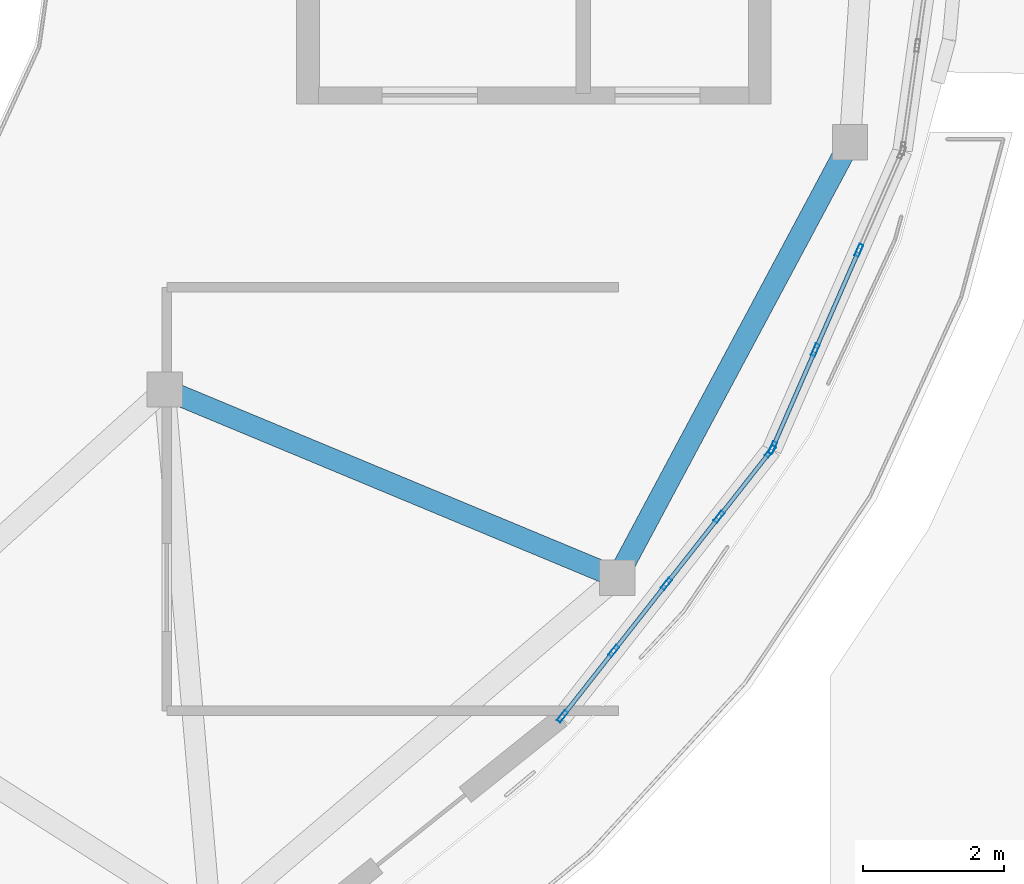
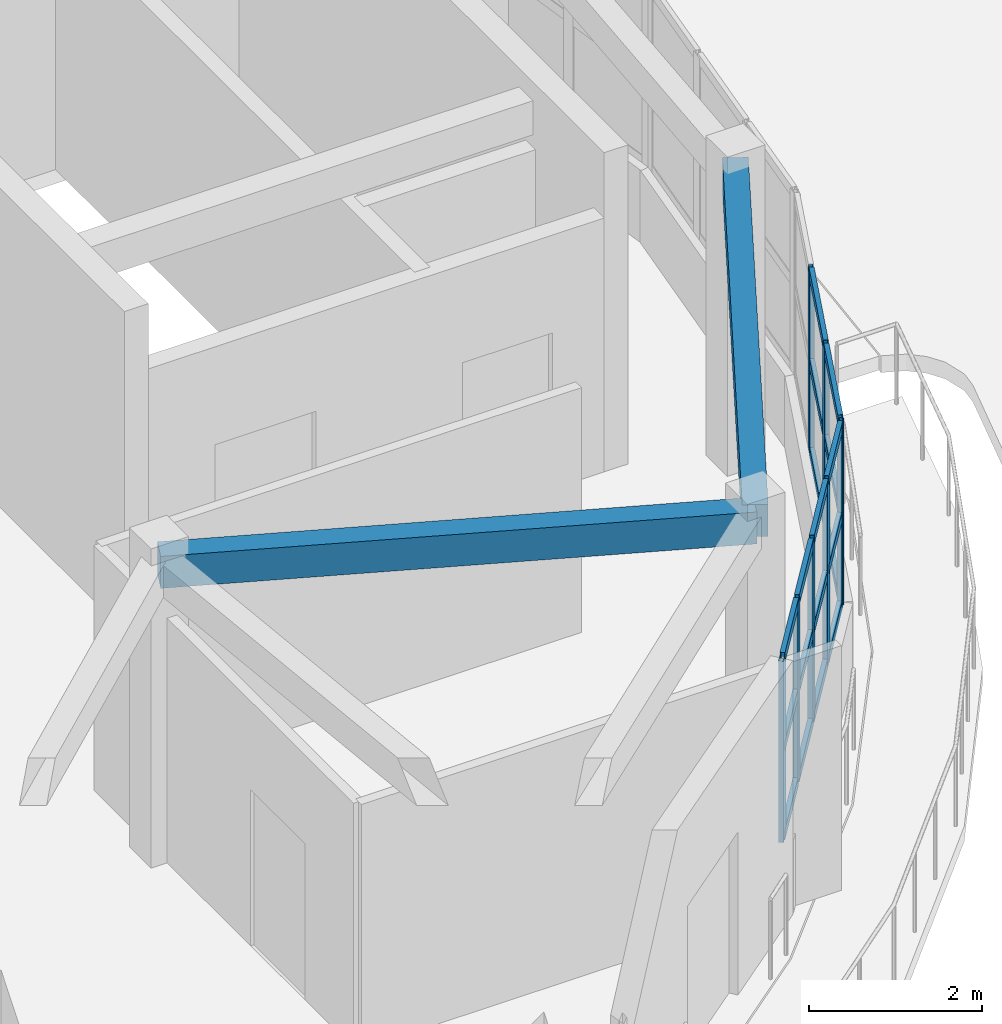
# One storey, part 16 of 38: 26 members, 2 beams, 2 elements without a shape of their own.
"""IFC4 building model written with IfcOpenShell, lengths in metres."""

from ifc_helpers import new_model, si_unit, direction, frame, origin, origin_2d, place, context, subcontext, project, spatial, rectangle, hollow_rectangle, extrude, material, layer, layer_set, material_profile, profile_set, type_object, element, aggregate, save


model = new_model("IFC4")

# Units and contexts
model_context = context("Model", 3, precision=1e-05, world=origin(), true_north=direction((0.0, 1.0)))
body_context = subcontext(model_context, "Body", "Model", "MODEL_VIEW")
ifc_project = project(units=[si_unit("LENGTHUNIT", "METRE"), si_unit("AREAUNIT", "SQUARE_METRE"), si_unit("VOLUMEUNIT", "CUBIC_METRE"), si_unit("PLANEANGLEUNIT", "RADIAN"), si_unit("MASSUNIT", "GRAM", prefix="KILO")], contexts=[model_context])

# Site, building, storey
site_placement = place(None, origin())
site = spatial("IfcSite", under=ifc_project, at=site_placement, CompositionType="ELEMENT")
building_placement = place(site_placement, origin())
building = spatial("IfcBuilding", under=site, at=building_placement, Name="Pelvatis Terrace Science Centre", CompositionType="ELEMENT")
storey_placement = place(building_placement, frame((0.0, 0.0, 24.300048828125)))
storey = spatial("IfcBuildingStorey", under=building, at=storey_placement, Name="L05", CompositionType="ELEMENT", Elevation=24.300048828125)

# Beams
ifc_material_1 = material(Name="Concrete C35/45", Category="concrete")
ifc_material_profile_1 = material_profile(ifc_material_1, rectangle(XDim=0.300048828125, YDim=0.449951171875, at=origin_2d()), Name="RC-BM 300x450")
ifc_profile_set_1 = profile_set([ifc_material_profile_1], Name="Concrete C35/45")
beam_type = type_object("IfcBeamType", Name="BM-RC-300x450", PredefinedType="BEAM", material=ifc_profile_set_1)
beam_1_placement = place(storey_placement, frame((129.57958984375, 74.6884765625, 4.034912109375), z_axis=(0.471365103295, 0.881938172094, 0.0), x_axis=(-0.881938172094, 0.471365103295, 0.0)))
element("IfcBeam", 1, at=beam_1_placement, inside=storey, type_object=beam_type, Name="Beam BM-L05-3144", PredefinedType="BEAM", context=body_context, shape_type="SweptSolid", body=[
    extrude(rectangle(XDim=0.300048828125, YDim=0.449951171875, at=origin_2d()), origin(), (0.0, 0.0, 1.0), 6.995849609375),
])
beam_2_placement = place(storey_placement, frame((129.57958984375, 74.6884765625, 4.034912109375), z_axis=(-0.923304582387, 0.384068546152, 0.0), x_axis=(-0.384068546152, -0.923304582387, 0.0)))
element("IfcBeam", 2, at=beam_2_placement, inside=storey, type_object=beam_type, Name="Beam BM-L05-3145", PredefinedType="BEAM", context=body_context, shape_type="SweptSolid", body=[
    extrude(rectangle(XDim=0.300048828125, YDim=0.449951171875, at=origin_2d()), origin(), (0.0, 0.0, 1.0), 6.943359375),
])

# Curtain wall, members
ifc_material_2 = material(Name="Bronze-anodised aluminium and laminated glass", Category="aluminium")
ifc_layer = layer(ifc_material_2, 0.179931640625)
ifc_layer_set = layer_set([ifc_layer], Name="Bronze-anodised aluminium and laminated glass")
curtain_wall_type = type_object("IfcCurtainWallType", Name="CW-RIBBON-A", PredefinedType="NOTDEFINED", material=ifc_layer_set)
curtain_wall_1_placement = place(storey_placement, origin())
curtain_wall_1 = element("IfcCurtainWall", 3, at=curtain_wall_1_placement, inside=storey, type_object=curtain_wall_type, Name="Ribbon curtain wall CW-261 (L05)", PredefinedType="NOTDEFINED")
ifc_material_3 = material(Name="Bronze-anodised aluminium 6063-T6", Category="aluminium")
ifc_material_profile_2 = material_profile(ifc_material_3, hollow_rectangle(XDim=0.06005859375, YDim=0.179931640625, WallThickness=0.00390625, at=origin_2d()), Name="ALU-MUL 60x180")
ifc_profile_set_2 = profile_set([ifc_material_profile_2], Name="Bronze-anodised aluminium 6063-T6")
member_type_1 = type_object("IfcMemberType", Name="CWM-60x180", PredefinedType="MULLION", material=ifc_profile_set_2)
member_1_placement = place(storey_placement, frame((128.803466796875, 72.72265625, 1.02001953125), z_axis=(0.0, 0.0, 1.0), x_axis=(-0.786576740286, 0.617492535697, 0.0)))
member_1 = element("IfcMember", 4, at=member_1_placement, type_object=member_type_1, Name="CW-261 mullion 1", PredefinedType="MULLION", context=body_context, shape_type="SweptSolid", body=[
    extrude(hollow_rectangle(XDim=0.06005859375, YDim=0.179931640625, WallThickness=0.00390625, at=origin_2d()), origin(), (0.0, 0.0, 1.0), 2.559814453125),
])
member_2_placement = place(storey_placement, frame((129.531005859375, 73.6494140625, 1.02001953125), z_axis=(0.0, 0.0, 1.0), x_axis=(-0.786576740286, 0.617492535697, 0.0)))
member_2 = element("IfcMember", 5, at=member_2_placement, type_object=member_type_1, Name="CW-261 mullion 2", PredefinedType="MULLION", context=body_context, shape_type="SweptSolid", body=[
    extrude(hollow_rectangle(XDim=0.06005859375, YDim=0.179931640625, WallThickness=0.00390625, at=origin_2d()), origin(), (0.0, 0.0, 1.0), 2.559814453125),
])
member_3_placement = place(storey_placement, frame((130.277099609375, 74.599853515625, 1.02001953125), z_axis=(0.0, 0.0, 1.0), x_axis=(-0.786576740286, 0.617492535697, 0.0)))
member_3 = element("IfcMember", 6, at=member_3_placement, type_object=member_type_1, Name="CW-261 mullion 3", PredefinedType="MULLION", context=body_context, shape_type="SweptSolid", body=[
    extrude(hollow_rectangle(XDim=0.06005859375, YDim=0.179931640625, WallThickness=0.00390625, at=origin_2d()), origin(), (0.0, 0.0, 1.0), 2.559814453125),
])
member_4_placement = place(storey_placement, frame((131.023193359375, 75.55029296875, 1.02001953125), z_axis=(0.0, 0.0, 1.0), x_axis=(-0.786576740286, 0.617492535697, 0.0)))
member_4 = element("IfcMember", 7, at=member_4_placement, type_object=member_type_1, Name="CW-261 mullion 4", PredefinedType="MULLION", context=body_context, shape_type="SweptSolid", body=[
    extrude(hollow_rectangle(XDim=0.06005859375, YDim=0.179931640625, WallThickness=0.00390625, at=origin_2d()), origin(), (0.0, 0.0, 1.0), 2.559814453125),
])
member_5_placement = place(storey_placement, frame((131.750732421875, 76.47705078125, 1.02001953125), z_axis=(0.0, 0.0, 1.0), x_axis=(-0.786576740286, 0.617492535697, 0.0)))
member_5 = element("IfcMember", 8, at=member_5_placement, type_object=member_type_1, Name="CW-261 mullion 5", PredefinedType="MULLION", context=body_context, shape_type="SweptSolid", body=[
    extrude(hollow_rectangle(XDim=0.06005859375, YDim=0.179931640625, WallThickness=0.00390625, at=origin_2d()), origin(), (0.0, 0.0, 1.0), 2.559814453125),
])

curtain_wall_2_placement = place(storey_placement, origin())
curtain_wall_2 = element("IfcCurtainWall", 9, at=curtain_wall_2_placement, inside=storey, type_object=curtain_wall_type, Name="Ribbon curtain wall CW-262 (L05)", PredefinedType="NOTDEFINED")
member_6_placement = place(storey_placement, frame((131.78125, 76.528076171875, 1.02001953125), z_axis=(0.0, 0.0, 1.0), x_axis=(-0.916274899341, 0.400550007911, 0.0)))
member_6 = element("IfcMember", 10, at=member_6_placement, type_object=member_type_1, Name="CW-262 mullion 1", PredefinedType="MULLION", context=body_context, shape_type="SweptSolid", body=[
    extrude(hollow_rectangle(XDim=0.06005859375, YDim=0.179931640625, WallThickness=0.00390625, at=origin_2d()), origin(), (0.0, 0.0, 1.0), 2.559814453125),
])
member_7_placement = place(storey_placement, frame((132.38671875, 77.913330078125, 1.02001953125), z_axis=(0.0, 0.0, 1.0), x_axis=(-0.916274899341, 0.400550007911, 0.0)))
member_7 = element("IfcMember", 11, at=member_7_placement, type_object=member_type_1, Name="CW-262 mullion 2", PredefinedType="MULLION", context=body_context, shape_type="SweptSolid", body=[
    extrude(hollow_rectangle(XDim=0.06005859375, YDim=0.179931640625, WallThickness=0.00390625, at=origin_2d()), origin(), (0.0, 0.0, 1.0), 2.559814453125),
])
member_8_placement = place(storey_placement, frame((133.00439453125, 79.325927734375, 1.02001953125), z_axis=(0.0, 0.0, 1.0), x_axis=(-0.916274899341, 0.400550007911, 0.0)))
member_8 = element("IfcMember", 12, at=member_8_placement, type_object=member_type_1, Name="CW-262 mullion 3", PredefinedType="MULLION", context=body_context, shape_type="SweptSolid", body=[
    extrude(hollow_rectangle(XDim=0.06005859375, YDim=0.179931640625, WallThickness=0.00390625, at=origin_2d()), origin(), (0.0, 0.0, 1.0), 2.559814453125),
])

# Member
ifc_material_4 = material(Name="Bronze-anodised aluminium 6063-T6", Category="aluminium")
ifc_material_profile_3 = material_profile(ifc_material_4, hollow_rectangle(XDim=0.06005859375, YDim=0.139892578125, WallThickness=0.00390625, at=origin_2d()), Name="ALU-TRN 60x140")
ifc_profile_set_3 = profile_set([ifc_material_profile_3], Name="Bronze-anodised aluminium 6063-T6")
member_type_2 = type_object("IfcMemberType", Name="CWT-60x140", PredefinedType="USERDEFINED", material=ifc_profile_set_3)
member_9_placement = place(storey_placement, frame((128.822021484375, 72.74609375, 1.050048828125), z_axis=(0.617426145244, 0.786628854778, 0.0), x_axis=(-0.786628854778, 0.617426145244, 0.0)))
member_9 = element("IfcMember", 13, at=member_9_placement, type_object=member_type_2, Name="CW-261 transom 1.1", ObjectType="TRANSOM", PredefinedType="USERDEFINED", context=body_context, shape_type="SweptSolid", body=[
    extrude(hollow_rectangle(XDim=0.06005859375, YDim=0.139892578125, WallThickness=0.00390625, at=origin_2d()), origin(), (0.0, 0.0, 1.0), 1.1181640625),
])

member_10_placement = place(storey_placement, frame((128.822021484375, 72.74609375, 2.300048828125), z_axis=(0.617426145244, 0.786628854778, 0.0), x_axis=(-0.786628854778, 0.617426145244, 0.0)))
member_10 = element("IfcMember", 14, at=member_10_placement, type_object=member_type_2, Name="CW-261 transom 1.2", ObjectType="TRANSOM", PredefinedType="USERDEFINED", context=body_context, shape_type="SweptSolid", body=[
    extrude(hollow_rectangle(XDim=0.06005859375, YDim=0.139892578125, WallThickness=0.00390625, at=origin_2d()), origin(), (0.0, 0.0, 1.0), 1.1181640625),
])

member_11_placement = place(storey_placement, frame((128.822021484375, 72.74609375, 3.550048828125), z_axis=(0.617426145244, 0.786628854778, 0.0), x_axis=(-0.786628854778, 0.617426145244, 0.0)))
member_11 = element("IfcMember", 15, at=member_11_placement, type_object=member_type_2, Name="CW-261 transom 1.3", ObjectType="TRANSOM", PredefinedType="USERDEFINED", context=body_context, shape_type="SweptSolid", body=[
    extrude(hollow_rectangle(XDim=0.06005859375, YDim=0.139892578125, WallThickness=0.00390625, at=origin_2d()), origin(), (0.0, 0.0, 1.0), 1.1181640625),
])

member_12_placement = place(storey_placement, frame((129.549560546875, 73.673095703125, 1.050048828125), z_axis=(0.617511597066, 0.786561776015, 0.0), x_axis=(-0.786561776015, 0.617511597066, 0.0)))
member_12 = element("IfcMember", 16, at=member_12_placement, type_object=member_type_2, Name="CW-261 transom 2.1", ObjectType="TRANSOM", PredefinedType="USERDEFINED", context=body_context, shape_type="SweptSolid", body=[
    extrude(hollow_rectangle(XDim=0.06005859375, YDim=0.139892578125, WallThickness=0.00390625, at=origin_2d()), origin(), (0.0, 0.0, 1.0), 1.148193359375),
])

member_13_placement = place(storey_placement, frame((129.549560546875, 73.673095703125, 2.300048828125), z_axis=(0.617511597066, 0.786561776015, 0.0), x_axis=(-0.786561776015, 0.617511597066, 0.0)))
member_13 = element("IfcMember", 17, at=member_13_placement, type_object=member_type_2, Name="CW-261 transom 2.2", ObjectType="TRANSOM", PredefinedType="USERDEFINED", context=body_context, shape_type="SweptSolid", body=[
    extrude(hollow_rectangle(XDim=0.06005859375, YDim=0.139892578125, WallThickness=0.00390625, at=origin_2d()), origin(), (0.0, 0.0, 1.0), 1.148193359375),
])

member_14_placement = place(storey_placement, frame((129.549560546875, 73.673095703125, 3.550048828125), z_axis=(0.617511597066, 0.786561776015, 0.0), x_axis=(-0.786561776015, 0.617511597066, 0.0)))
member_14 = element("IfcMember", 18, at=member_14_placement, type_object=member_type_2, Name="CW-261 transom 2.3", ObjectType="TRANSOM", PredefinedType="USERDEFINED", context=body_context, shape_type="SweptSolid", body=[
    extrude(hollow_rectangle(XDim=0.06005859375, YDim=0.139892578125, WallThickness=0.00390625, at=origin_2d()), origin(), (0.0, 0.0, 1.0), 1.148193359375),
])

member_15_placement = place(storey_placement, frame((130.295654296875, 74.623291015625, 1.050048828125), z_axis=(0.617408326584, 0.786642840344, 0.0), x_axis=(-0.786642840344, 0.617408326584, 0.0)))
member_15 = element("IfcMember", 19, at=member_15_placement, type_object=member_type_2, Name="CW-261 transom 3.1", ObjectType="TRANSOM", PredefinedType="USERDEFINED", context=body_context, shape_type="SweptSolid", body=[
    extrude(hollow_rectangle(XDim=0.06005859375, YDim=0.139892578125, WallThickness=0.00390625, at=origin_2d()), origin(), (0.0, 0.0, 1.0), 1.1484375),
])

member_16_placement = place(storey_placement, frame((130.295654296875, 74.623291015625, 2.300048828125), z_axis=(0.617408326584, 0.786642840344, 0.0), x_axis=(-0.786642840344, 0.617408326584, 0.0)))
member_16 = element("IfcMember", 20, at=member_16_placement, type_object=member_type_2, Name="CW-261 transom 3.2", ObjectType="TRANSOM", PredefinedType="USERDEFINED", context=body_context, shape_type="SweptSolid", body=[
    extrude(hollow_rectangle(XDim=0.06005859375, YDim=0.139892578125, WallThickness=0.00390625, at=origin_2d()), origin(), (0.0, 0.0, 1.0), 1.1484375),
])

member_17_placement = place(storey_placement, frame((130.295654296875, 74.623291015625, 3.550048828125), z_axis=(0.617408326584, 0.786642840344, 0.0), x_axis=(-0.786642840344, 0.617408326584, 0.0)))
member_17 = element("IfcMember", 21, at=member_17_placement, type_object=member_type_2, Name="CW-261 transom 3.3", ObjectType="TRANSOM", PredefinedType="USERDEFINED", context=body_context, shape_type="SweptSolid", body=[
    extrude(hollow_rectangle(XDim=0.06005859375, YDim=0.139892578125, WallThickness=0.00390625, at=origin_2d()), origin(), (0.0, 0.0, 1.0), 1.1484375),
])

member_18_placement = place(storey_placement, frame((131.041748046875, 75.57373046875, 1.050048828125), z_axis=(0.617426145244, 0.786628854778, 0.0), x_axis=(-0.786628854778, 0.617426145244, 0.0)))
member_18 = element("IfcMember", 22, at=member_18_placement, type_object=member_type_2, Name="CW-261 transom 4.1", ObjectType="TRANSOM", PredefinedType="USERDEFINED", context=body_context, shape_type="SweptSolid", body=[
    extrude(hollow_rectangle(XDim=0.06005859375, YDim=0.139892578125, WallThickness=0.00390625, at=origin_2d()), origin(), (0.0, 0.0, 1.0), 1.1181640625),
])

member_19_placement = place(storey_placement, frame((131.041748046875, 75.57373046875, 2.300048828125), z_axis=(0.617426145244, 0.786628854778, 0.0), x_axis=(-0.786628854778, 0.617426145244, 0.0)))
member_19 = element("IfcMember", 23, at=member_19_placement, type_object=member_type_2, Name="CW-261 transom 4.2", ObjectType="TRANSOM", PredefinedType="USERDEFINED", context=body_context, shape_type="SweptSolid", body=[
    extrude(hollow_rectangle(XDim=0.06005859375, YDim=0.139892578125, WallThickness=0.00390625, at=origin_2d()), origin(), (0.0, 0.0, 1.0), 1.1181640625),
])

member_20_placement = place(storey_placement, frame((131.041748046875, 75.57373046875, 3.550048828125), z_axis=(0.617426145244, 0.786628854778, 0.0), x_axis=(-0.786628854778, 0.617426145244, 0.0)))
member_20 = element("IfcMember", 24, at=member_20_placement, type_object=member_type_2, Name="CW-261 transom 4.3", ObjectType="TRANSOM", PredefinedType="USERDEFINED", context=body_context, shape_type="SweptSolid", body=[
    extrude(hollow_rectangle(XDim=0.06005859375, YDim=0.139892578125, WallThickness=0.00390625, at=origin_2d()), origin(), (0.0, 0.0, 1.0), 1.1181640625),
])

aggregate(curtain_wall_1, [member_1, member_2, member_3, member_4, member_5, member_9, member_10, member_11, member_12, member_13, member_14, member_15, member_16, member_17, member_18, member_19, member_20])

member_21_placement = place(storey_placement, frame((131.793212890625, 76.5556640625, 1.050048828125), z_axis=(0.400607080711, 0.916249947822, 0.0), x_axis=(-0.916249947822, 0.400607080711, 0.0)))
member_21 = element("IfcMember", 25, at=member_21_placement, type_object=member_type_2, Name="CW-262 transom 1.1", ObjectType="TRANSOM", PredefinedType="USERDEFINED", context=body_context, shape_type="SweptSolid", body=[
    extrude(hollow_rectangle(XDim=0.06005859375, YDim=0.139892578125, WallThickness=0.00390625, at=origin_2d()), origin(), (0.0, 0.0, 1.0), 1.45166015625),
])

member_22_placement = place(storey_placement, frame((131.793212890625, 76.5556640625, 2.300048828125), z_axis=(0.400607080711, 0.916249947822, 0.0), x_axis=(-0.916249947822, 0.400607080711, 0.0)))
member_22 = element("IfcMember", 26, at=member_22_placement, type_object=member_type_2, Name="CW-262 transom 1.2", ObjectType="TRANSOM", PredefinedType="USERDEFINED", context=body_context, shape_type="SweptSolid", body=[
    extrude(hollow_rectangle(XDim=0.06005859375, YDim=0.139892578125, WallThickness=0.00390625, at=origin_2d()), origin(), (0.0, 0.0, 1.0), 1.45166015625),
])

member_23_placement = place(storey_placement, frame((131.793212890625, 76.5556640625, 3.550048828125), z_axis=(0.400607080711, 0.916249947822, 0.0), x_axis=(-0.916249947822, 0.400607080711, 0.0)))
member_23 = element("IfcMember", 27, at=member_23_placement, type_object=member_type_2, Name="CW-262 transom 1.3", ObjectType="TRANSOM", PredefinedType="USERDEFINED", context=body_context, shape_type="SweptSolid", body=[
    extrude(hollow_rectangle(XDim=0.06005859375, YDim=0.139892578125, WallThickness=0.00390625, at=origin_2d()), origin(), (0.0, 0.0, 1.0), 1.45166015625),
])

member_24_placement = place(storey_placement, frame((132.39892578125, 77.940673828125, 1.050048828125), z_axis=(0.400550866388, 0.916274524057, 0.0), x_axis=(-0.916274524057, 0.400550866388, 0.0)))
member_24 = element("IfcMember", 28, at=member_24_placement, type_object=member_type_2, Name="CW-262 transom 2.1", ObjectType="TRANSOM", PredefinedType="USERDEFINED", context=body_context, shape_type="SweptSolid", body=[
    extrude(hollow_rectangle(XDim=0.06005859375, YDim=0.139892578125, WallThickness=0.00390625, at=origin_2d()), origin(), (0.0, 0.0, 1.0), 1.481689453125),
])

member_25_placement = place(storey_placement, frame((132.39892578125, 77.940673828125, 2.300048828125), z_axis=(0.400550866388, 0.916274524057, 0.0), x_axis=(-0.916274524057, 0.400550866388, 0.0)))
member_25 = element("IfcMember", 29, at=member_25_placement, type_object=member_type_2, Name="CW-262 transom 2.2", ObjectType="TRANSOM", PredefinedType="USERDEFINED", context=body_context, shape_type="SweptSolid", body=[
    extrude(hollow_rectangle(XDim=0.06005859375, YDim=0.139892578125, WallThickness=0.00390625, at=origin_2d()), origin(), (0.0, 0.0, 1.0), 1.481689453125),
])

member_26_placement = place(storey_placement, frame((132.39892578125, 77.940673828125, 3.550048828125), z_axis=(0.400550866388, 0.916274524057, 0.0), x_axis=(-0.916274524057, 0.400550866388, 0.0)))
member_26 = element("IfcMember", 30, at=member_26_placement, type_object=member_type_2, Name="CW-262 transom 2.3", ObjectType="TRANSOM", PredefinedType="USERDEFINED", context=body_context, shape_type="SweptSolid", body=[
    extrude(hollow_rectangle(XDim=0.06005859375, YDim=0.139892578125, WallThickness=0.00390625, at=origin_2d()), origin(), (0.0, 0.0, 1.0), 1.481689453125),
])

aggregate(curtain_wall_2, [member_6, member_7, member_8, member_21, member_22, member_23, member_24, member_25, member_26])

save(model, "model.ifc")
